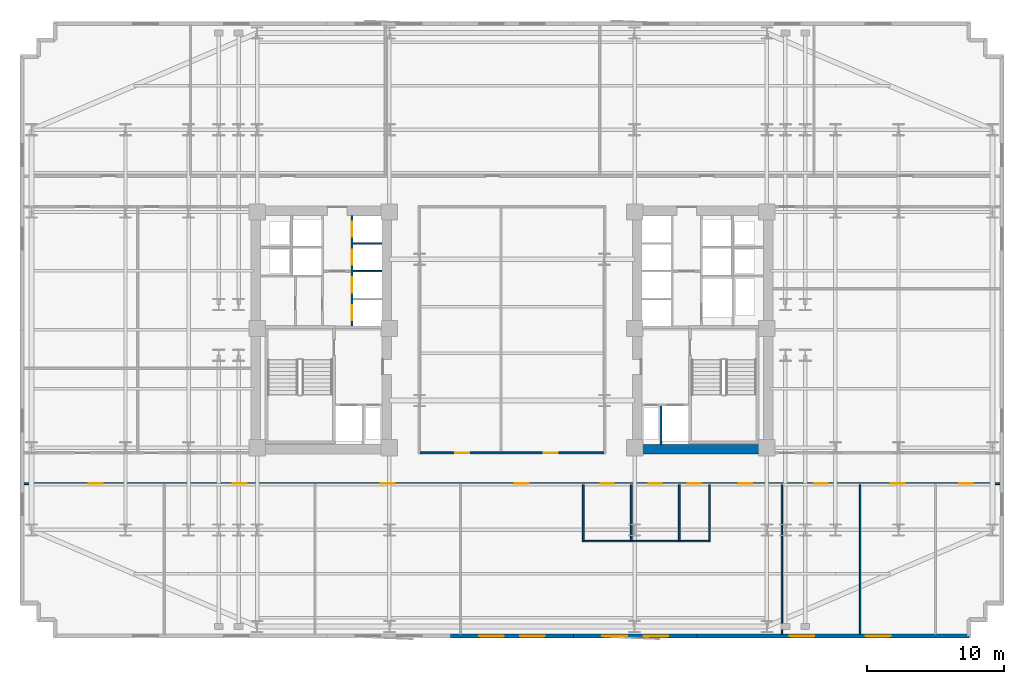
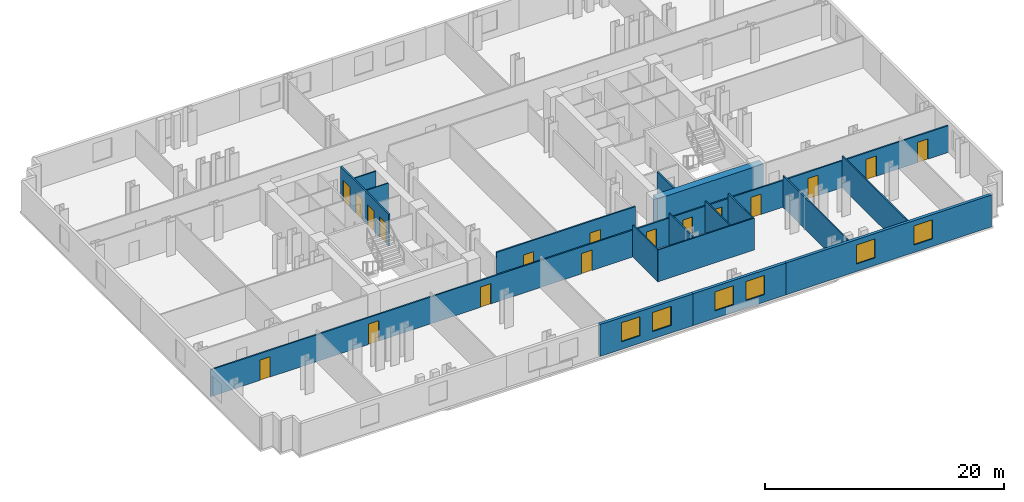
# One storey, part 5 of 10: 17 doors, 17 walls, 6 windows, 23 openings.
"""IFC4 building model written with IfcOpenShell, lengths in metres."""

from ifc_helpers import new_model, si_unit, direction, frame, frame_2d, origin, place, context, subcontext, project, spatial, rectangle, extrude, material, layer, layer_set, type_object, element, fill, save


model = new_model("IFC4")

# Units and contexts
model_context = context("Model", 3, precision=1e-05, world=origin(), true_north=direction((0.0, 1.0)))
body_context = subcontext(model_context, "Body", "Model", "MODEL_VIEW")
ifc_project = project(units=[si_unit("LENGTHUNIT", "METRE"), si_unit("AREAUNIT", "SQUARE_METRE"), si_unit("VOLUMEUNIT", "CUBIC_METRE"), si_unit("PLANEANGLEUNIT", "RADIAN"), si_unit("MASSUNIT", "GRAM", prefix="KILO")], contexts=[model_context])

# Site, building, storey
site_placement = place(None, origin())
site = spatial("IfcSite", under=ifc_project, at=site_placement, CompositionType="ELEMENT")
building_placement = place(site_placement, origin())
building = spatial("IfcBuilding", under=site, at=building_placement, Name="Velakula Bourse", CompositionType="ELEMENT")
storey_placement = place(building_placement, frame((0.0, 0.0, 45.0)))
storey = spatial("IfcBuildingStorey", under=building, at=storey_placement, Name="L11", CompositionType="ELEMENT", Elevation=45.0)

# Wall
ifc_material_1 = material(Name="Concrete M70 (fck 70 MPa)", Category="concrete")
ifc_layer_1 = layer(ifc_material_1, 0.699951171875, Name="Concrete M70 (fck 70 MPa)", Category="concrete")
ifc_layer_set_1 = layer_set([ifc_layer_1], Name="Concrete M70 (fck 70 MPa)")
wall_type_1 = type_object("IfcWallType", Name="WL-CORE-700", PredefinedType="SHEAR", material=ifc_layer_set_1)
wall_1_placement = place(storey_placement, frame((8.800048828125, -8.699951171875, 0.0), z_axis=(0.0, 0.0, 1.0), x_axis=(1.0, 0.0, 0.0)))
element("IfcWall", 1, at=wall_1_placement, inside=storey, type_object=wall_type_1, Name="L11 Core E Shear Wall S", PredefinedType="SHEAR", context=body_context, shape_type="SweptSolid", body=[
    extrude(rectangle(XDim=10.25, YDim=0.699951171875, at=frame_2d((5.125, 0.0))), origin(), (0.0, 0.0, 1.0), 3.27001953125),
])

# Wall, openings, windows
ifc_material_2 = material(Name="Red kilned clay facing brick masonry", Category="masonry")
ifc_layer_2 = layer(ifc_material_2, 0.280029296875, Name="Red kilned clay facing brick masonry", Category="masonry")
ifc_layer_set_2 = layer_set([ifc_layer_2], Name="Red kilned clay facing brick masonry")
wall_type_2 = type_object("IfcWallType", Name="WL-EXT-BRK-280", PredefinedType="STANDARD", material=ifc_layer_set_2)
wall_2_placement = place(storey_placement, frame((4.5, -22.340087890625, 0.0), z_axis=(0.0, 0.0, 1.0), x_axis=(-1.0, 0.0, 0.0)))
wall_2 = element("IfcWall", 2, at=wall_2_placement, inside=storey, type_object=wall_type_2, Name="L11 S Brick Spandrel Wall B3", PredefinedType="STANDARD", context=body_context, shape_type="SweptSolid", body=[
    extrude(rectangle(XDim=9.0, YDim=0.280029296875, at=frame_2d((4.5, 0.0))), origin(), (0.0, 0.0, 1.0), 3.25),
])
opening_1_placement = place(wall_2_placement, frame((2.10009765625, 0.0, 0.760009765625)))
opening_1 = element("IfcOpeningElement", 3, at=opening_1_placement, cuts=wall_2, Name="Opening W-01", PredefinedType="OPENING", context=body_context, shape_type="SweptSolid", body=[
    extrude(rectangle(XDim=1.800048828125, YDim=1.949951171875, at=frame_2d((0.89990234375, 0.97509765625))), frame((0.0, 0.14990234375, 0.0), z_axis=(0.0, -1.0, 0.0), x_axis=(1.0, 0.0, 0.0)), (0.0, 0.0, 1.0), 0.300048828125),
])
opening_2_placement = place(wall_2_placement, frame((5.10009765625, 0.0, 0.760009765625)))
opening_2 = element("IfcOpeningElement", 4, at=opening_2_placement, cuts=wall_2, Name="Opening W-01", PredefinedType="OPENING", context=body_context, shape_type="SweptSolid", body=[
    extrude(rectangle(XDim=1.800048828125, YDim=1.949951171875, at=frame_2d((0.89990234375, 0.97509765625))), frame((0.0, 0.14990234375, 0.0), z_axis=(0.0, -1.0, 0.0), x_axis=(1.0, 0.0, 0.0)), (0.0, 0.0, 1.0), 0.300048828125),
])
ifc_material_3 = material(Name="Double-glazed solar-control Low-E glass", Category="glass")
window_type = type_object("IfcWindowType", Name="WIN-TWR-1800x2100", PartitioningType="SINGLE_PANEL", PredefinedType="WINDOW", material=ifc_material_3)
window_1_placement = place(opening_1_placement, origin())
window_1 = element("IfcWindow", 5, at=window_1_placement, inside=storey, type_object=window_type, Name="L11 Deep-Set Recessed Window 1", OverallHeight=1.949951171875, OverallWidth=1.800048828125, PartitioningType="SINGLE_PANEL", PredefinedType="WINDOW", context=body_context, shape_type="SweptSolid", body=[
    extrude(rectangle(XDim=1.800048828125, YDim=1.949951171875, at=frame_2d((0.89990234375, 0.97509765625))), frame((0.0, 0.030029296875, 0.0), z_axis=(0.0, -1.0, 0.0), x_axis=(1.0, 0.0, 0.0)), (0.0, 0.0, 1.0), 0.06005859375),
])
fill(opening_1, window_1)
window_2_placement = place(opening_2_placement, origin())
window_2 = element("IfcWindow", 6, at=window_2_placement, inside=storey, type_object=window_type, Name="L11 Deep-Set Recessed Window 2", OverallHeight=1.949951171875, OverallWidth=1.800048828125, PartitioningType="SINGLE_PANEL", PredefinedType="WINDOW", context=body_context, shape_type="SweptSolid", body=[
    extrude(rectangle(XDim=1.800048828125, YDim=1.949951171875, at=frame_2d((0.89990234375, 0.97509765625))), frame((0.0, 0.030029296875, 0.0), z_axis=(0.0, -1.0, 0.0), x_axis=(1.0, 0.0, 0.0)), (0.0, 0.0, 1.0), 0.06005859375),
])
fill(opening_2, window_2)

wall_3_placement = place(storey_placement, frame((13.5, -22.340087890625, 0.0), z_axis=(0.0, 0.0, 1.0), x_axis=(-1.0, 0.0, 0.0)))
wall_3 = element("IfcWall", 7, at=wall_3_placement, inside=storey, type_object=wall_type_2, Name="L11 S Brick Spandrel Wall B4", PredefinedType="STANDARD", context=body_context, shape_type="SweptSolid", body=[
    extrude(rectangle(XDim=9.0, YDim=0.280029296875, at=frame_2d((4.5, 0.0))), origin(), (0.0, 0.0, 1.0), 3.25),
])
opening_3_placement = place(wall_3_placement, frame((2.10009765625, 0.0, 0.760009765625)))
opening_3 = element("IfcOpeningElement", 8, at=opening_3_placement, cuts=wall_3, Name="Opening W-01", PredefinedType="OPENING", context=body_context, shape_type="SweptSolid", body=[
    extrude(rectangle(XDim=1.800048828125, YDim=1.949951171875, at=frame_2d((0.89990234375, 0.97509765625))), frame((0.0, 0.14990234375, 0.0), z_axis=(0.0, -1.0, 0.0), x_axis=(1.0, 0.0, 0.0)), (0.0, 0.0, 1.0), 0.300048828125),
])
opening_4_placement = place(wall_3_placement, frame((5.10009765625, 0.0, 0.760009765625)))
opening_4 = element("IfcOpeningElement", 9, at=opening_4_placement, cuts=wall_3, Name="Opening W-01", PredefinedType="OPENING", context=body_context, shape_type="SweptSolid", body=[
    extrude(rectangle(XDim=1.800048828125, YDim=1.949951171875, at=frame_2d((0.89990234375, 0.97509765625))), frame((0.0, 0.14990234375, 0.0), z_axis=(0.0, -1.0, 0.0), x_axis=(1.0, 0.0, 0.0)), (0.0, 0.0, 1.0), 0.300048828125),
])
window_3_placement = place(opening_3_placement, origin())
window_3 = element("IfcWindow", 10, at=window_3_placement, inside=storey, type_object=window_type, Name="L11 Deep-Set Recessed Window 1", OverallHeight=1.949951171875, OverallWidth=1.800048828125, PartitioningType="SINGLE_PANEL", PredefinedType="WINDOW", context=body_context, shape_type="SweptSolid", body=[
    extrude(rectangle(XDim=1.800048828125, YDim=1.949951171875, at=frame_2d((0.89990234375, 0.97509765625))), frame((0.0, 0.030029296875, 0.0), z_axis=(0.0, -1.0, 0.0), x_axis=(1.0, 0.0, 0.0)), (0.0, 0.0, 1.0), 0.06005859375),
])
fill(opening_3, window_3)
window_4_placement = place(opening_4_placement, origin())
window_4 = element("IfcWindow", 11, at=window_4_placement, inside=storey, type_object=window_type, Name="L11 Deep-Set Recessed Window 2", OverallHeight=1.949951171875, OverallWidth=1.800048828125, PartitioningType="SINGLE_PANEL", PredefinedType="WINDOW", context=body_context, shape_type="SweptSolid", body=[
    extrude(rectangle(XDim=1.800048828125, YDim=1.949951171875, at=frame_2d((0.89990234375, 0.97509765625))), frame((0.0, 0.030029296875, 0.0), z_axis=(0.0, -1.0, 0.0), x_axis=(1.0, 0.0, 0.0)), (0.0, 0.0, 1.0), 0.06005859375),
])
fill(opening_4, window_4)

wall_4_placement = place(storey_placement, frame((33.340087890625, -22.340087890625, 0.0), z_axis=(0.0, 0.0, 1.0), x_axis=(-1.0, 0.0, 0.0)))
wall_4 = element("IfcWall", 12, at=wall_4_placement, inside=storey, type_object=wall_type_2, Name="L11 S Brick Spandrel Wall B5", PredefinedType="STANDARD", context=body_context, shape_type="SweptSolid", body=[
    extrude(rectangle(XDim=19.840087890625, YDim=0.280029296875, at=frame_2d((9.919921875, 0.0))), origin(), (0.0, 0.0, 1.0), 3.25),
])
opening_5_placement = place(wall_4_placement, frame((5.71337890625, 0.0, 0.760009765625)))
opening_5 = element("IfcOpeningElement", 13, at=opening_5_placement, cuts=wall_4, Name="Opening W-01", PredefinedType="OPENING", context=body_context, shape_type="SweptSolid", body=[
    extrude(rectangle(XDim=1.800048828125, YDim=1.949951171875, at=frame_2d((0.89990234375, 0.97509765625))), frame((0.0, 0.14990234375, 0.0), z_axis=(0.0, -1.0, 0.0), x_axis=(1.0, 0.0, 0.0)), (0.0, 0.0, 1.0), 0.300048828125),
])
opening_6_placement = place(wall_4_placement, frame((11.276611328125, 0.0, 0.760009765625)))
opening_6 = element("IfcOpeningElement", 14, at=opening_6_placement, cuts=wall_4, Name="Opening W-01", PredefinedType="OPENING", context=body_context, shape_type="SweptSolid", body=[
    extrude(rectangle(XDim=1.800048828125, YDim=1.949951171875, at=frame_2d((0.89990234375, 0.97509765625))), frame((0.0, 0.14990234375, 0.0), z_axis=(0.0, -1.0, 0.0), x_axis=(1.0, 0.0, 0.0)), (0.0, 0.0, 1.0), 0.300048828125),
])
window_5_placement = place(opening_5_placement, origin())
window_5 = element("IfcWindow", 15, at=window_5_placement, inside=storey, type_object=window_type, Name="L11 Deep-Set Recessed Window 1", OverallHeight=1.949951171875, OverallWidth=1.800048828125, PartitioningType="SINGLE_PANEL", PredefinedType="WINDOW", context=body_context, shape_type="SweptSolid", body=[
    extrude(rectangle(XDim=1.800048828125, YDim=1.949951171875, at=frame_2d((0.89990234375, 0.97509765625))), frame((0.0, 0.030029296875, 0.0), z_axis=(0.0, -1.0, 0.0), x_axis=(1.0, 0.0, 0.0)), (0.0, 0.0, 1.0), 0.06005859375),
])
fill(opening_5, window_5)
window_6_placement = place(opening_6_placement, origin())
window_6 = element("IfcWindow", 16, at=window_6_placement, inside=storey, type_object=window_type, Name="L11 Deep-Set Recessed Window 2", OverallHeight=1.949951171875, OverallWidth=1.800048828125, PartitioningType="SINGLE_PANEL", PredefinedType="WINDOW", context=body_context, shape_type="SweptSolid", body=[
    extrude(rectangle(XDim=1.800048828125, YDim=1.949951171875, at=frame_2d((0.89990234375, 0.97509765625))), frame((0.0, 0.030029296875, 0.0), z_axis=(0.0, -1.0, 0.0), x_axis=(1.0, 0.0, 0.0)), (0.0, 0.0, 1.0), 0.06005859375),
])
fill(opening_6, window_6)

# Walls
ifc_material_4 = material(Name="Fire-rated double-layer gypsum drywall partition", Category="gypsum")
ifc_layer_3 = layer(ifc_material_4, 0.1201171875, Name="Fire-rated double-layer gypsum drywall partition", Category="gypsum")
ifc_layer_set_3 = layer_set([ifc_layer_3], Name="Fire-rated double-layer gypsum drywall partition")
wall_type_3 = type_object("IfcWallType", Name="WL-PART-120", PredefinedType="STANDARD", material=ifc_layer_set_3)
for number, where, z_axis, x_axis, name in (
    (17, (-11.60009765625, 4.284912109375, 0.0), (0.0, 0.0, 1.0), (1.0, 0.0, 0.0), "L11 Interior Partition WL-CRW-L11-BDIV-1"),
    (18, (-11.60009765625, 6.31494140625, 0.0), (0.0, 0.0, 1.0), (1.0, 0.0, 0.0), "L11 Interior Partition WL-CRW-L11-BDIV-2"),
):
    element("IfcWall", number, at=place(storey_placement, frame(where, z_axis=z_axis, x_axis=x_axis)), inside=storey, type_object=wall_type_3, Name=name, PredefinedType="STANDARD", context=body_context, shape_type="SweptSolid", body=[
        extrude(rectangle(XDim=2.10009765625, YDim=0.110107421875, at=frame_2d((1.050048828125, 0.0))), origin(), (0.0, 0.0, 1.0), 3.25),
    ])
wall_5_placement = place(storey_placement, frame((5.139892578125, -15.419921875, 0.0), z_axis=(0.0, 0.0, 1.0), x_axis=(1.0, 0.0, 0.0)))
element("IfcWall", 19, at=wall_5_placement, inside=storey, type_object=wall_type_3, Name="L11 Interior Partition WL-WC-L11-BACK", PredefinedType="STANDARD", context=body_context, shape_type="SweptSolid", body=[
    extrude(rectangle(XDim=9.320068359375, YDim=0.1201171875, at=frame_2d((4.66015625, 0.0))), origin(), (0.0, 0.0, 1.0), 3.25),
])
for number, where, z_axis, x_axis, name in (
    (20, (5.199951171875, -15.419921875, 0.0), (0.0, 0.0, 1.0), (0.0, 1.0, 0.0), "L11 Interior Partition WL-WC-L11-V1"),
    (21, (8.699951171875, -15.419921875, 0.0), (0.0, 0.0, 1.0), (0.0, 1.0, 0.0), "L11 Interior Partition WL-WC-L11-V2"),
    (22, (12.199951171875, -15.419921875, 0.0), (0.0, 0.0, 1.0), (0.0, 1.0, 0.0), "L11 Interior Partition WL-WC-L11-V3"),
    (23, (14.39990234375, -15.419921875, 0.0), (0.0, 0.0, 1.0), (0.0, 1.0, 0.0), "L11 Interior Partition WL-WC-L11-V4"),
):
    element("IfcWall", number, at=place(storey_placement, frame(where, z_axis=z_axis, x_axis=x_axis)), inside=storey, type_object=wall_type_3, Name=name, PredefinedType="STANDARD", context=body_context, shape_type="SweptSolid", body=[
        extrude(rectangle(XDim=4.1298828125, YDim=0.1201171875, at=frame_2d((2.06494140625, 0.0))), origin(), (0.0, 0.0, 1.0), 3.25),
    ])
for number, where, z_axis, x_axis, name in (
    (24, (19.68994140625, -22.219970703125, 0.0), (0.0, 0.0, 1.0), (0.0, 1.0, 0.0), "L11 Interior Partition WL-INT-L11-SR-D8"),
    (25, (25.403076171875, -22.219970703125, 0.0), (0.0, 0.0, 1.0), (0.0, 1.0, 0.0), "L11 Interior Partition WL-INT-L11-SR-D9"),
):
    element("IfcWall", number, at=place(storey_placement, frame(where, z_axis=z_axis, x_axis=x_axis)), inside=storey, type_object=wall_type_3, Name=name, PredefinedType="STANDARD", context=body_context, shape_type="SweptSolid", body=[
        extrude(rectangle(XDim=10.929931640625, YDim=0.1201171875, at=frame_2d((5.46484375, 0.0))), origin(), (0.0, 0.0, 1.0), 3.25),
    ])

# Wall, openings, doors
ifc_layer_4 = layer(ifc_material_4, 0.139892578125, Name="Fire-rated double-layer gypsum drywall partition", Category="gypsum")
ifc_layer_set_4 = layer_set([ifc_layer_4], Name="Fire-rated double-layer gypsum drywall partition")
wall_type_4 = type_object("IfcWallType", Name="WL-PART-140", PredefinedType="STANDARD", material=ifc_layer_set_4)
wall_6_placement = place(storey_placement, frame((-35.6201171875, -11.219970703125, 0.0), z_axis=(0.0, 0.0, 1.0), x_axis=(1.0, 0.0, 0.0)))
wall_6 = element("IfcWall", 26, at=wall_6_placement, inside=storey, type_object=wall_type_4, Name="L11 Interior Partition WL-INT-L11-S-CORR", PredefinedType="STANDARD", context=body_context, shape_type="SweptSolid", body=[
    extrude(rectangle(XDim=71.240234375, YDim=0.139892578125, at=frame_2d((35.6201171875, 0.0))), origin(), (0.0, 0.0, 1.0), 2.7451171875),
])
opening_7_placement = place(wall_6_placement, frame((42.110107421875, 0.0, 0.0)))
opening_7 = element("IfcOpeningElement", 27, at=opening_7_placement, cuts=wall_6, Name="Opening D-WT1", PredefinedType="OPENING", context=body_context, shape_type="SweptSolid", body=[
    extrude(rectangle(XDim=0.919921875, YDim=2.080078125, at=frame_2d((0.4599609375, 1.0400390625))), frame((0.0, 0.079833984375, 0.0), z_axis=(0.0, -1.0, 0.0), x_axis=(1.0, 0.0, 0.0)), (0.0, 0.0, 1.0), 0.159912109375),
])
opening_8_placement = place(wall_6_placement, frame((45.610107421875, 0.0, 0.0)))
opening_8 = element("IfcOpeningElement", 28, at=opening_8_placement, cuts=wall_6, Name="Opening D-WT1", PredefinedType="OPENING", context=body_context, shape_type="SweptSolid", body=[
    extrude(rectangle(XDim=0.919921875, YDim=2.080078125, at=frame_2d((0.4599609375, 1.0400390625))), frame((0.0, 0.079833984375, 0.0), z_axis=(0.0, -1.0, 0.0), x_axis=(1.0, 0.0, 0.0)), (0.0, 0.0, 1.0), 0.159912109375),
])
opening_9_placement = place(wall_6_placement, frame((48.4599609375, 0.0, 0.0)))
opening_9 = element("IfcOpeningElement", 29, at=opening_9_placement, cuts=wall_6, Name="Opening D-WC1", PredefinedType="OPENING", context=body_context, shape_type="SweptSolid", body=[
    extrude(rectangle(XDim=0.919921875, YDim=2.080078125, at=frame_2d((0.4599609375, 1.0400390625))), frame((0.0, 0.079833984375, 0.0), z_axis=(0.0, -1.0, 0.0), x_axis=(1.0, 0.0, 0.0)), (0.0, 0.0, 1.0), 0.159912109375),
])
opening_10_placement = place(wall_6_placement, frame((4.7509765625, 0.0, 0.0)))
opening_10 = element("IfcOpeningElement", 30, at=opening_10_placement, cuts=wall_6, Name="Opening D-OF1", PredefinedType="OPENING", context=body_context, shape_type="SweptSolid", body=[
    extrude(rectangle(XDim=1.0, YDim=2.080078125, at=frame_2d((0.5, 1.0400390625))), frame((0.0, 0.079833984375, 0.0), z_axis=(0.0, -1.0, 0.0), x_axis=(1.0, 0.0, 0.0)), (0.0, 0.0, 1.0), 0.159912109375),
])
opening_11_placement = place(wall_6_placement, frame((15.25244140625, 0.0, 0.0)))
opening_11 = element("IfcOpeningElement", 31, at=opening_11_placement, cuts=wall_6, Name="Opening D-OF1", PredefinedType="OPENING", context=body_context, shape_type="SweptSolid", body=[
    extrude(rectangle(XDim=1.0, YDim=2.080078125, at=frame_2d((0.5, 1.0400390625))), frame((0.0, 0.079833984375, 0.0), z_axis=(0.0, -1.0, 0.0), x_axis=(1.0, 0.0, 0.0)), (0.0, 0.0, 1.0), 0.159912109375),
])
opening_12_placement = place(wall_6_placement, frame((26.053955078125, 0.0, 0.0)))
opening_12 = element("IfcOpeningElement", 32, at=opening_12_placement, cuts=wall_6, Name="Opening D-OF1", PredefinedType="OPENING", context=body_context, shape_type="SweptSolid", body=[
    extrude(rectangle(XDim=1.0, YDim=2.080078125, at=frame_2d((0.5, 1.0400390625))), frame((0.0, 0.079833984375, 0.0), z_axis=(0.0, -1.0, 0.0), x_axis=(1.0, 0.0, 0.0)), (0.0, 0.0, 1.0), 0.159912109375),
])
opening_13_placement = place(wall_6_placement, frame((35.83642578125, 0.0, 0.0)))
opening_13 = element("IfcOpeningElement", 33, at=opening_13_placement, cuts=wall_6, Name="Opening D-OF1", PredefinedType="OPENING", context=body_context, shape_type="SweptSolid", body=[
    extrude(rectangle(XDim=1.0, YDim=2.080078125, at=frame_2d((0.5, 1.0400390625))), frame((0.0, 0.079833984375, 0.0), z_axis=(0.0, -1.0, 0.0), x_axis=(1.0, 0.0, 0.0)), (0.0, 0.0, 1.0), 0.159912109375),
])
opening_14_placement = place(wall_6_placement, frame((52.1650390625, 0.0, 0.0)))
opening_14 = element("IfcOpeningElement", 34, at=opening_14_placement, cuts=wall_6, Name="Opening D-OF1", PredefinedType="OPENING", context=body_context, shape_type="SweptSolid", body=[
    extrude(rectangle(XDim=1.0, YDim=2.080078125, at=frame_2d((0.5, 1.0400390625))), frame((0.0, 0.079833984375, 0.0), z_axis=(0.0, -1.0, 0.0), x_axis=(1.0, 0.0, 0.0)), (0.0, 0.0, 1.0), 0.159912109375),
])
opening_15_placement = place(wall_6_placement, frame((57.66650390625, 0.0, 0.0)))
opening_15 = element("IfcOpeningElement", 35, at=opening_15_placement, cuts=wall_6, Name="Opening D-OF1", PredefinedType="OPENING", context=body_context, shape_type="SweptSolid", body=[
    extrude(rectangle(XDim=1.0, YDim=2.080078125, at=frame_2d((0.5, 1.0400390625))), frame((0.0, 0.079833984375, 0.0), z_axis=(0.0, -1.0, 0.0), x_axis=(1.0, 0.0, 0.0)), (0.0, 0.0, 1.0), 0.159912109375),
])
opening_16_placement = place(wall_6_placement, frame((63.27392578125, 0.0, 0.0)))
opening_16 = element("IfcOpeningElement", 36, at=opening_16_placement, cuts=wall_6, Name="Opening D-OF1", PredefinedType="OPENING", context=body_context, shape_type="SweptSolid", body=[
    extrude(rectangle(XDim=1.0, YDim=2.080078125, at=frame_2d((0.5, 1.0400390625))), frame((0.0, 0.079833984375, 0.0), z_axis=(0.0, -1.0, 0.0), x_axis=(1.0, 0.0, 0.0)), (0.0, 0.0, 1.0), 0.159912109375),
])
opening_17_placement = place(wall_6_placement, frame((68.256591796875, 0.0, 0.0)))
opening_17 = element("IfcOpeningElement", 37, at=opening_17_placement, cuts=wall_6, Name="Opening D-OF1", PredefinedType="OPENING", context=body_context, shape_type="SweptSolid", body=[
    extrude(rectangle(XDim=1.0, YDim=2.080078125, at=frame_2d((0.5, 1.0400390625))), frame((0.0, 0.079833984375, 0.0), z_axis=(0.0, -1.0, 0.0), x_axis=(1.0, 0.0, 0.0)), (0.0, 0.0, 1.0), 0.159912109375),
])
ifc_material_5 = material(Name="Fire-rated hardwood flush architectural door", Category="wood")
door_type_1 = type_object("IfcDoorType", Name="DR-OFF-1000", OperationType="NOTDEFINED", PredefinedType="DOOR", material=ifc_material_5)
door_1_placement = place(opening_10_placement, origin())
door_1 = element("IfcDoor", 38, at=door_1_placement, inside=storey, type_object=door_type_1, Name="L11 Sky-Garden Veranda Lounge Door", OperationType="SINGLE_SWING_LEFT", OverallHeight=2.080078125, OverallWidth=1.0, PredefinedType="DOOR", context=body_context, shape_type="SweptSolid", body=[
    extrude(rectangle(XDim=1.0, YDim=2.080078125, at=frame_2d((0.5, 1.0400390625))), frame((0.0, 0.02490234375, 0.0), z_axis=(0.0, -1.0, 0.0), x_axis=(1.0, 0.0, 0.0)), (0.0, 0.0, 1.0), 0.050048828125),
])
fill(opening_10, door_1)
door_2_placement = place(opening_11_placement, origin())
door_2 = element("IfcDoor", 39, at=door_2_placement, inside=storey, type_object=door_type_1, Name="L11 Bullion Assay Office Door", OperationType="SINGLE_SWING_RIGHT", OverallHeight=2.080078125, OverallWidth=1.0, PredefinedType="DOOR", context=body_context, shape_type="SweptSolid", body=[
    extrude(rectangle(XDim=1.0, YDim=2.080078125, at=frame_2d((0.5, 1.0400390625))), frame((0.0, 0.02490234375, 0.0), z_axis=(0.0, -1.0, 0.0), x_axis=(1.0, 0.0, 0.0)), (0.0, 0.0, 1.0), 0.050048828125),
])
fill(opening_11, door_2)
door_3_placement = place(opening_12_placement, origin())
door_3 = element("IfcDoor", 40, at=door_3_placement, inside=storey, type_object=door_type_1, Name="L11 Listing Committee Chamber Door", OperationType="SINGLE_SWING_LEFT", OverallHeight=2.080078125, OverallWidth=1.0, PredefinedType="DOOR", context=body_context, shape_type="SweptSolid", body=[
    extrude(rectangle(XDim=1.0, YDim=2.080078125, at=frame_2d((0.5, 1.0400390625))), frame((0.0, 0.02490234375, 0.0), z_axis=(0.0, -1.0, 0.0), x_axis=(1.0, 0.0, 0.0)), (0.0, 0.0, 1.0), 0.050048828125),
])
fill(opening_12, door_3)
door_4_placement = place(opening_13_placement, origin())
door_4 = element("IfcDoor", 41, at=door_4_placement, inside=storey, type_object=door_type_1, Name="L11 Traders Pantry Door", OperationType="SINGLE_SWING_RIGHT", OverallHeight=2.080078125, OverallWidth=1.0, PredefinedType="DOOR", context=body_context, shape_type="SweptSolid", body=[
    extrude(rectangle(XDim=1.0, YDim=2.080078125, at=frame_2d((0.5, 1.0400390625))), frame((0.0, 0.02490234375, 0.0), z_axis=(0.0, -1.0, 0.0), x_axis=(1.0, 0.0, 0.0)), (0.0, 0.0, 1.0), 0.050048828125),
])
fill(opening_13, door_4)
door_5_placement = place(opening_14_placement, origin())
door_5 = element("IfcDoor", 42, at=door_5_placement, inside=storey, type_object=door_type_1, Name="L11 Commodity Futures Workspace Door", OperationType="SINGLE_SWING_LEFT", OverallHeight=2.080078125, OverallWidth=1.0, PredefinedType="DOOR", context=body_context, shape_type="SweptSolid", body=[
    extrude(rectangle(XDim=1.0, YDim=2.080078125, at=frame_2d((0.5, 1.0400390625))), frame((0.0, 0.02490234375, 0.0), z_axis=(0.0, -1.0, 0.0), x_axis=(1.0, 0.0, 0.0)), (0.0, 0.0, 1.0), 0.050048828125),
])
fill(opening_14, door_5)
door_6_placement = place(opening_15_placement, origin())
door_6 = element("IfcDoor", 43, at=door_6_placement, inside=storey, type_object=door_type_1, Name="L11 Issuer Relations Office Door", OperationType="SINGLE_SWING_RIGHT", OverallHeight=2.080078125, OverallWidth=1.0, PredefinedType="DOOR", context=body_context, shape_type="SweptSolid", body=[
    extrude(rectangle(XDim=1.0, YDim=2.080078125, at=frame_2d((0.5, 1.0400390625))), frame((0.0, 0.02490234375, 0.0), z_axis=(0.0, -1.0, 0.0), x_axis=(1.0, 0.0, 0.0)), (0.0, 0.0, 1.0), 0.050048828125),
])
fill(opening_15, door_6)
door_7_placement = place(opening_16_placement, origin())
door_7 = element("IfcDoor", 44, at=door_7_placement, inside=storey, type_object=door_type_1, Name="L11 Sky-Garden Veranda Lounge Door", OperationType="SINGLE_SWING_LEFT", OverallHeight=2.080078125, OverallWidth=1.0, PredefinedType="DOOR", context=body_context, shape_type="SweptSolid", body=[
    extrude(rectangle(XDim=1.0, YDim=2.080078125, at=frame_2d((0.5, 1.0400390625))), frame((0.0, 0.02490234375, 0.0), z_axis=(0.0, -1.0, 0.0), x_axis=(1.0, 0.0, 0.0)), (0.0, 0.0, 1.0), 0.050048828125),
])
fill(opening_16, door_7)
door_8_placement = place(opening_17_placement, origin())
door_8 = element("IfcDoor", 45, at=door_8_placement, inside=storey, type_object=door_type_1, Name="L11 Bullion Assay Office Door", OperationType="SINGLE_SWING_RIGHT", OverallHeight=2.080078125, OverallWidth=1.0, PredefinedType="DOOR", context=body_context, shape_type="SweptSolid", body=[
    extrude(rectangle(XDim=1.0, YDim=2.080078125, at=frame_2d((0.5, 1.0400390625))), frame((0.0, 0.02490234375, 0.0), z_axis=(0.0, -1.0, 0.0), x_axis=(1.0, 0.0, 0.0)), (0.0, 0.0, 1.0), 0.050048828125),
])
fill(opening_17, door_8)
door_type_2 = type_object("IfcDoorType", Name="DR-WC-950", OperationType="NOTDEFINED", PredefinedType="DOOR", material=ifc_material_5)
door_9_placement = place(opening_7_placement, origin())
door_9 = element("IfcDoor", 46, at=door_9_placement, inside=storey, type_object=door_type_2, Name="L11 Male Staff Toilet Door", OperationType="SINGLE_SWING_RIGHT", OverallHeight=2.080078125, OverallWidth=0.919921875, PredefinedType="DOOR", context=body_context, shape_type="SweptSolid", body=[
    extrude(rectangle(XDim=0.919921875, YDim=2.080078125, at=frame_2d((0.4599609375, 1.0400390625))), frame((0.0, 0.02490234375, 0.0), z_axis=(0.0, -1.0, 0.0), x_axis=(1.0, 0.0, 0.0)), (0.0, 0.0, 1.0), 0.050048828125),
])
fill(opening_7, door_9)
door_10_placement = place(opening_8_placement, origin())
door_10 = element("IfcDoor", 47, at=door_10_placement, inside=storey, type_object=door_type_2, Name="L11 Female Staff Toilet Door", OperationType="SINGLE_SWING_LEFT", OverallHeight=2.080078125, OverallWidth=0.919921875, PredefinedType="DOOR", context=body_context, shape_type="SweptSolid", body=[
    extrude(rectangle(XDim=0.919921875, YDim=2.080078125, at=frame_2d((0.4599609375, 1.0400390625))), frame((0.0, 0.02490234375, 0.0), z_axis=(0.0, -1.0, 0.0), x_axis=(1.0, 0.0, 0.0)), (0.0, 0.0, 1.0), 0.050048828125),
])
fill(opening_8, door_10)
door_11_placement = place(opening_9_placement, origin())
door_11 = element("IfcDoor", 48, at=door_11_placement, inside=storey, type_object=door_type_2, Name="L11 Accessible WC Door", OperationType="SINGLE_SWING_RIGHT", OverallHeight=2.080078125, OverallWidth=0.919921875, PredefinedType="DOOR", context=body_context, shape_type="SweptSolid", body=[
    extrude(rectangle(XDim=0.919921875, YDim=2.080078125, at=frame_2d((0.4599609375, 1.0400390625))), frame((0.0, 0.02490234375, 0.0), z_axis=(0.0, -1.0, 0.0), x_axis=(1.0, 0.0, 0.0)), (0.0, 0.0, 1.0), 0.050048828125),
])
fill(opening_9, door_11)

wall_7_placement = place(storey_placement, frame((-6.7099609375, -8.97998046875, 0.0), z_axis=(0.0, 0.0, 1.0), x_axis=(1.0, 0.0, 0.0)))
wall_7 = element("IfcWall", 49, at=wall_7_placement, inside=storey, type_object=wall_type_4, Name="L11 Interior Partition WL-INT-L11-MID-S", PredefinedType="STANDARD", context=body_context, shape_type="SweptSolid", body=[
    extrude(rectangle(XDim=13.419921875, YDim=0.139892578125, at=frame_2d((6.7099609375, 0.0))), origin(), (0.0, 0.0, 1.0), 3.25),
])
opening_18_placement = place(wall_7_placement, frame((2.5810546875, 0.0, 0.0)))
opening_18 = element("IfcOpeningElement", 50, at=opening_18_placement, cuts=wall_7, Name="Opening D-OF1", PredefinedType="OPENING", context=body_context, shape_type="SweptSolid", body=[
    extrude(rectangle(XDim=1.0, YDim=2.080078125, at=frame_2d((0.5, 1.0400390625))), frame((0.0, 0.079833984375, 0.0), z_axis=(0.0, -1.0, 0.0), x_axis=(1.0, 0.0, 0.0)), (0.0, 0.0, 1.0), 0.159912109375),
])
opening_19_placement = place(wall_7_placement, frame((9.0390625, 0.0, 0.0)))
opening_19 = element("IfcOpeningElement", 51, at=opening_19_placement, cuts=wall_7, Name="Opening D-OF1", PredefinedType="OPENING", context=body_context, shape_type="SweptSolid", body=[
    extrude(rectangle(XDim=1.0, YDim=2.080078125, at=frame_2d((0.5, 1.0400390625))), frame((0.0, 0.079833984375, 0.0), z_axis=(0.0, -1.0, 0.0), x_axis=(1.0, 0.0, 0.0)), (0.0, 0.0, 1.0), 0.159912109375),
])
door_12_placement = place(opening_18_placement, origin())
door_12 = element("IfcDoor", 52, at=door_12_placement, inside=storey, type_object=door_type_1, Name="L11 Central Clearing Workspace West Door", OperationType="SINGLE_SWING_LEFT", OverallHeight=2.080078125, OverallWidth=1.0, PredefinedType="DOOR", context=body_context, shape_type="SweptSolid", body=[
    extrude(rectangle(XDim=1.0, YDim=2.080078125, at=frame_2d((0.5, 1.0400390625))), frame((0.0, 0.02490234375, 0.0), z_axis=(0.0, -1.0, 0.0), x_axis=(1.0, 0.0, 0.0)), (0.0, 0.0, 1.0), 0.050048828125),
])
fill(opening_18, door_12)
door_13_placement = place(opening_19_placement, origin())
door_13 = element("IfcDoor", 53, at=door_13_placement, inside=storey, type_object=door_type_1, Name="L11 Central Arbitration Room East Door", OperationType="SINGLE_SWING_RIGHT", OverallHeight=2.080078125, OverallWidth=1.0, PredefinedType="DOOR", context=body_context, shape_type="SweptSolid", body=[
    extrude(rectangle(XDim=1.0, YDim=2.080078125, at=frame_2d((0.5, 1.0400390625))), frame((0.0, 0.02490234375, 0.0), z_axis=(0.0, -1.0, 0.0), x_axis=(1.0, 0.0, 0.0)), (0.0, 0.0, 1.0), 0.050048828125),
])
fill(opening_19, door_13)

ifc_material_6 = material(Name="Autoclaved aerated concrete blockwork masonry", Category="masonry")
ifc_layer_5 = layer(ifc_material_6, 0.14990234375, Name="Autoclaved aerated concrete blockwork masonry", Category="masonry")
ifc_layer_set_5 = layer_set([ifc_layer_5], Name="Autoclaved aerated concrete blockwork masonry")
wall_type_5 = type_object("IfcWallType", Name="WL-SHAFT-150", PredefinedType="STANDARD", material=ifc_layer_set_5)
wall_8_placement = place(storey_placement, frame((-11.675048828125, 0.27001953125, 0.0), z_axis=(0.0, 0.0, 1.0), x_axis=(0.0, 1.0, 0.0)))
wall_8 = element("IfcWall", 54, at=wall_8_placement, inside=storey, type_object=wall_type_5, Name="L11 Interior Partition WL-CRW-L11-BANK-F", PredefinedType="STANDARD", context=body_context, shape_type="SweptSolid", body=[
    extrude(rectangle(XDim=8.080078125, YDim=0.14990234375, at=frame_2d((4.0400390625, 0.0))), origin(), (0.0, 0.0, 1.0), 3.25),
])
opening_20_placement = place(wall_8_placement, frame((0.419921875, 0.0, 0.0)))
opening_20 = element("IfcOpeningElement", 55, at=opening_20_placement, cuts=wall_8, Name="Opening LD-P1", PredefinedType="OPENING", context=body_context, shape_type="SweptSolid", body=[
    extrude(rectangle(XDim=1.10009765625, YDim=2.10009765625, at=frame_2d((0.550048828125, 1.050048828125))), frame((0.0, 0.0849609375, 0.0), z_axis=(0.0, -1.0, 0.0), x_axis=(1.0, 0.0, 0.0)), (0.0, 0.0, 1.0), 0.169921875),
])
opening_21_placement = place(wall_8_placement, frame((2.449951171875, 0.0, 0.0)))
opening_21 = element("IfcOpeningElement", 56, at=opening_21_placement, cuts=wall_8, Name="Opening LD-P2", PredefinedType="OPENING", context=body_context, shape_type="SweptSolid", body=[
    extrude(rectangle(XDim=1.10009765625, YDim=2.10009765625, at=frame_2d((0.550048828125, 1.050048828125))), frame((0.0, 0.0849609375, 0.0), z_axis=(0.0, -1.0, 0.0), x_axis=(1.0, 0.0, 0.0)), (0.0, 0.0, 1.0), 0.169921875),
])
opening_22_placement = place(wall_8_placement, frame((4.47998046875, 0.0, 0.0)))
opening_22 = element("IfcOpeningElement", 57, at=opening_22_placement, cuts=wall_8, Name="Opening LD-P3", PredefinedType="OPENING", context=body_context, shape_type="SweptSolid", body=[
    extrude(rectangle(XDim=1.10009765625, YDim=2.10009765625, at=frame_2d((0.550048828125, 1.050048828125))), frame((0.0, 0.0849609375, 0.0), z_axis=(0.0, -1.0, 0.0), x_axis=(1.0, 0.0, 0.0)), (0.0, 0.0, 1.0), 0.169921875),
])
opening_23_placement = place(wall_8_placement, frame((6.510009765625, 0.0, 0.0)))
opening_23 = element("IfcOpeningElement", 58, at=opening_23_placement, cuts=wall_8, Name="Opening LD-P4", PredefinedType="OPENING", context=body_context, shape_type="SweptSolid", body=[
    extrude(rectangle(XDim=1.10009765625, YDim=2.10009765625, at=frame_2d((0.550048828125, 1.050048828125))), frame((0.0, 0.0849609375, 0.0), z_axis=(0.0, -1.0, 0.0), x_axis=(1.0, 0.0, 0.0)), (0.0, 0.0, 1.0), 0.169921875),
])
ifc_material_7 = material(Name="Brushed grade 316 stainless steel", Category="steel")
door_type_3 = type_object("IfcDoorType", Name="DR-SLIDE-LD-1100", OperationType="DOUBLE_DOOR_SLIDING", PredefinedType="DOOR", material=ifc_material_7)
door_14_placement = place(opening_20_placement, origin())
door_14 = element("IfcDoor", 59, at=door_14_placement, inside=storey, type_object=door_type_3, Name="L11 Passenger Lift P1 Sliding Landing Door", OperationType="DOUBLE_DOOR_SLIDING", OverallHeight=2.10009765625, OverallWidth=1.10009765625, PredefinedType="DOOR", context=body_context, shape_type="SweptSolid", body=[
    extrude(rectangle(XDim=1.10009765625, YDim=2.10009765625, at=frame_2d((0.550048828125, 1.050048828125))), frame((0.0, 0.02490234375, 0.0), z_axis=(0.0, -1.0, 0.0), x_axis=(1.0, 0.0, 0.0)), (0.0, 0.0, 1.0), 0.050048828125),
])
fill(opening_20, door_14)
door_15_placement = place(opening_21_placement, origin())
door_15 = element("IfcDoor", 60, at=door_15_placement, inside=storey, type_object=door_type_3, Name="L11 Passenger Lift P2 Sliding Landing Door", OperationType="DOUBLE_DOOR_SLIDING", OverallHeight=2.10009765625, OverallWidth=1.10009765625, PredefinedType="DOOR", context=body_context, shape_type="SweptSolid", body=[
    extrude(rectangle(XDim=1.10009765625, YDim=2.10009765625, at=frame_2d((0.550048828125, 1.050048828125))), frame((0.0, 0.02490234375, 0.0), z_axis=(0.0, -1.0, 0.0), x_axis=(1.0, 0.0, 0.0)), (0.0, 0.0, 1.0), 0.050048828125),
])
fill(opening_21, door_15)
door_16_placement = place(opening_22_placement, origin())
door_16 = element("IfcDoor", 61, at=door_16_placement, inside=storey, type_object=door_type_3, Name="L11 Passenger Lift P3 Sliding Landing Door", OperationType="DOUBLE_DOOR_SLIDING", OverallHeight=2.10009765625, OverallWidth=1.10009765625, PredefinedType="DOOR", context=body_context, shape_type="SweptSolid", body=[
    extrude(rectangle(XDim=1.10009765625, YDim=2.10009765625, at=frame_2d((0.550048828125, 1.050048828125))), frame((0.0, 0.02490234375, 0.0), z_axis=(0.0, -1.0, 0.0), x_axis=(1.0, 0.0, 0.0)), (0.0, 0.0, 1.0), 0.050048828125),
])
fill(opening_22, door_16)
door_17_placement = place(opening_23_placement, origin())
door_17 = element("IfcDoor", 62, at=door_17_placement, inside=storey, type_object=door_type_3, Name="L11 Passenger Lift P4 Sliding Landing Door", OperationType="DOUBLE_DOOR_SLIDING", OverallHeight=2.10009765625, OverallWidth=1.10009765625, PredefinedType="DOOR", context=body_context, shape_type="SweptSolid", body=[
    extrude(rectangle(XDim=1.10009765625, YDim=2.10009765625, at=frame_2d((0.550048828125, 1.050048828125))), frame((0.0, 0.02490234375, 0.0), z_axis=(0.0, -1.0, 0.0), x_axis=(1.0, 0.0, 0.0)), (0.0, 0.0, 1.0), 0.050048828125),
])
fill(opening_23, door_17)

# Wall
wall_9_placement = place(storey_placement, frame((10.875, -8.35009765625, 0.0), z_axis=(0.0, 0.0, 1.0), x_axis=(0.0, 1.0, 0.0)))
element("IfcWall", 63, at=wall_9_placement, inside=storey, type_object=wall_type_5, Name="L11 Interior Partition WL-CRE-L11-FR-DIV", PredefinedType="STANDARD", context=body_context, shape_type="SweptSolid", body=[
    extrude(rectangle(XDim=2.800048828125, YDim=0.14990234375, at=frame_2d((1.39990234375, 0.0))), origin(), (0.0, 0.0, 1.0), 3.25),
])

save(model, "model.ifc")
